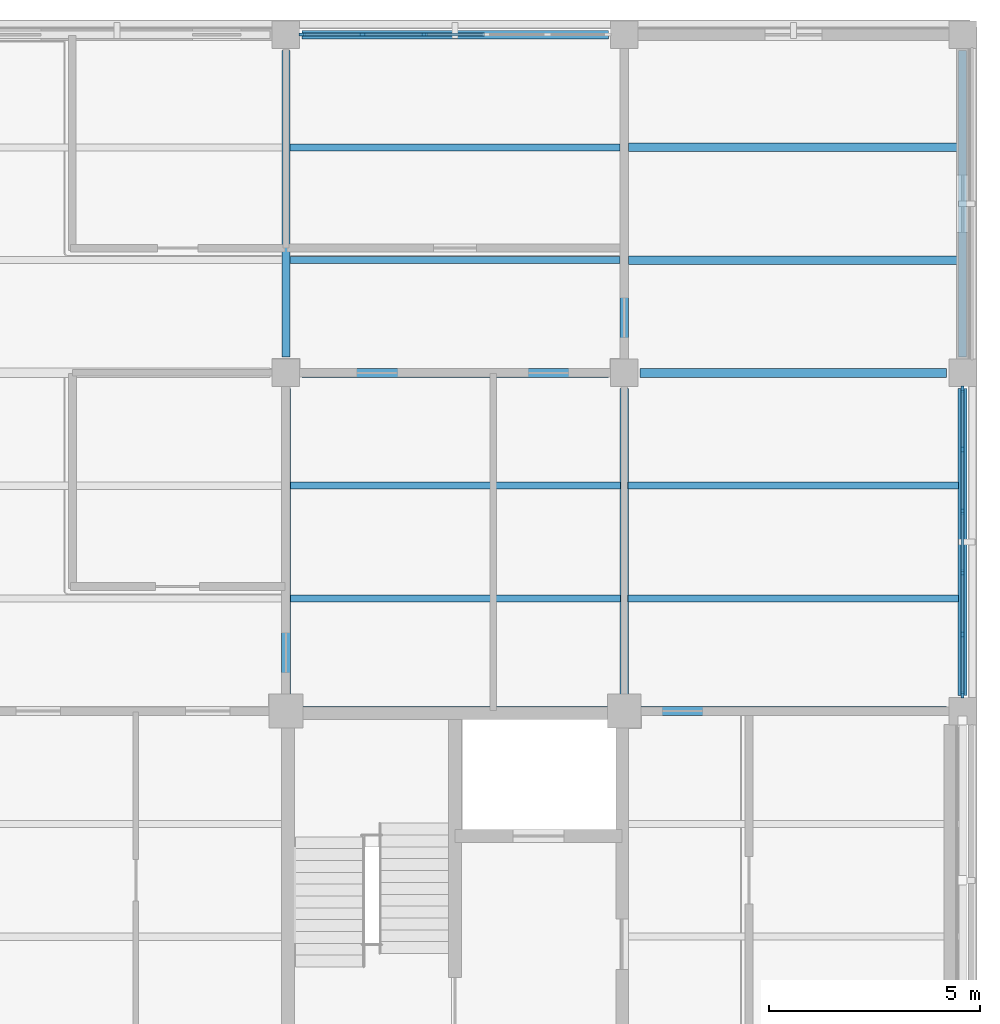
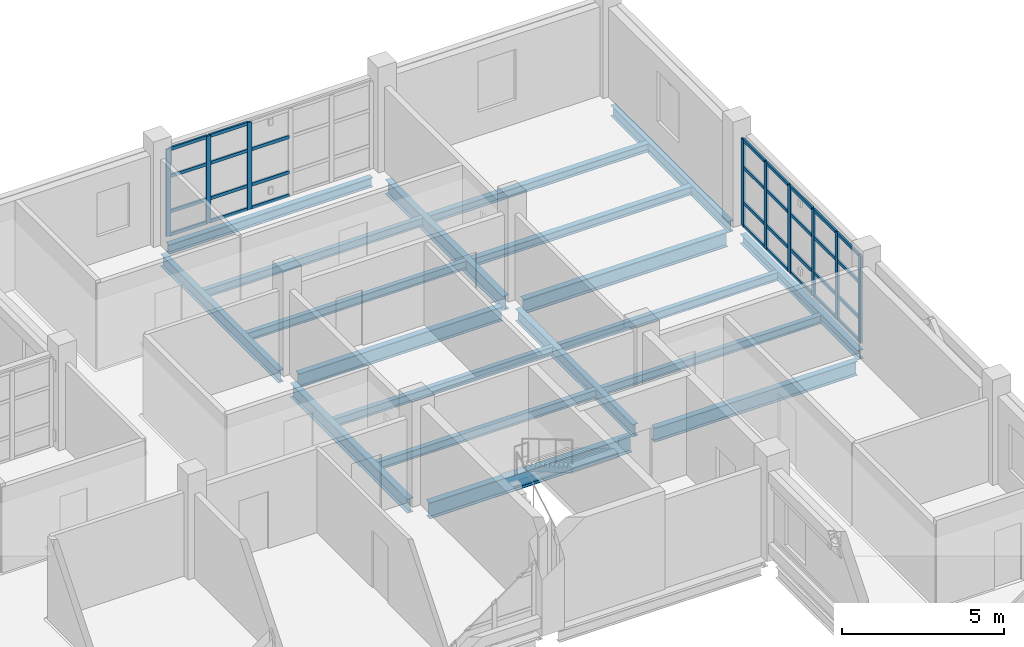
# One storey, part 63 of 126: 40 members, 19 beams, 2 elements without a shape of their own.
"""IFC4 building model written with IfcOpenShell, lengths in metres."""

from ifc_helpers import new_model, si_unit, derived_unit, direction, frame, origin, origin_2d, place, context, subcontext, project, spatial, rectangle, i_section, extrude, material, layer, layer_set, material_profile, profile_set, type_object, element, aggregate, save


model = new_model("IFC4")

# Units and contexts
model_context = context("Model", 3, precision=1e-05, world=origin(), true_north=direction((0.0, 1.0)))
body_context = subcontext(model_context, "Body", "Model", "MODEL_VIEW")
ifc_project = project(units=[si_unit("LENGTHUNIT", "METRE"), si_unit("AREAUNIT", "SQUARE_METRE"), si_unit("VOLUMEUNIT", "CUBIC_METRE"), si_unit("PLANEANGLEUNIT", "RADIAN"), si_unit("MASSUNIT", "GRAM", prefix="KILO"), derived_unit("THERMALTRANSMITTANCEUNIT", [(si_unit("MASSUNIT", "GRAM", prefix="KILO"), 1), (si_unit("TIMEUNIT", "SECOND"), -3), (si_unit("THERMODYNAMICTEMPERATUREUNIT", "KELVIN"), -1)])], contexts=[model_context])

# Site, building, storey
site_placement = place(None, origin())
site = spatial("IfcSite", under=ifc_project, at=site_placement, CompositionType="ELEMENT")
building_placement = place(site_placement, origin())
building = spatial("IfcBuilding", under=site, at=building_placement, Name="Veyamyaing Civic Hall", CompositionType="ELEMENT")
storey_placement = place(building_placement, frame((0.0, 0.0, 9.89990234375)))
storey = spatial("IfcBuildingStorey", under=building, at=storey_placement, Name="L02", CompositionType="ELEMENT", Elevation=9.89990234375)

# Beams
ifc_material_1 = material(Name="Steel ASTM A992", Category="steel")
ifc_material_profile_1 = material_profile(ifc_material_1, i_section(OverallWidth=0.22802734375, OverallDepth=0.60791015625, WebThickness=0.01123046875, FlangeThickness=0.017333984375, FilletRadius=0.012939453125, at=origin_2d()), Name="W610X113")
ifc_profile_set_1 = profile_set([ifc_material_profile_1], Name="Steel ASTM A992")
beam_type_1 = type_object("IfcBeamType", Name="B-06", PredefinedType="BEAM", material=ifc_profile_set_1)
beam_1_placement = place(storey_placement, frame((160.39990234375, 96.0, -0.5888671875), z_axis=(1.0, 0.0, 0.0), x_axis=(0.0, 1.0, 0.0)))
element("IfcBeam", 1, at=beam_1_placement, inside=storey, type_object=beam_type_1, Name="Girder B-06 L02 Grid N 21-22", PredefinedType="BEAM", context=body_context, shape_type="SweptSolid", body=[
    extrude(i_section(OverallWidth=0.22802734375, OverallDepth=0.60791015625, WebThickness=0.01123046875, FlangeThickness=0.017333984375, FilletRadius=0.012939453125, at=origin_2d()), origin(), (0.0, 0.0, 1.0), 7.2001953125),
])
ifc_material_profile_2 = material_profile(ifc_material_1, i_section(OverallWidth=0.208984375, OverallDepth=0.532958984375, WebThickness=0.01025390625, FlangeThickness=0.015625, FilletRadius=0.011962890625, at=origin_2d()), Name="W530X92")
ifc_profile_set_2 = profile_set([ifc_material_profile_2], Name="Steel ASTM A992")
beam_type_2 = type_object("IfcBeamType", Name="B-07", PredefinedType="BEAM", material=ifc_profile_set_2)
beam_2_placement = place(storey_placement, frame((168.39990234375, 96.0, -0.551513671875), z_axis=(1.0, 0.0, 0.0), x_axis=(0.0, 1.0, 0.0)))
element("IfcBeam", 2, at=beam_2_placement, inside=storey, type_object=beam_type_2, Name="Girder B-07 L02 Grid N 22-23", PredefinedType="BEAM", context=body_context, shape_type="SweptSolid", body=[
    extrude(i_section(OverallWidth=0.208984375, OverallDepth=0.532958984375, WebThickness=0.01025390625, FlangeThickness=0.015625, FilletRadius=0.011962890625, at=origin_2d()), origin(), (0.0, 0.0, 1.0), 7.22509765625),
])
beam_3_placement = place(storey_placement, frame((160.375, 104.0, -0.551513671875), z_axis=(1.0, 0.0, 0.0), x_axis=(0.0, 1.0, 0.0)))
element("IfcBeam", 3, at=beam_3_placement, inside=storey, type_object=beam_type_2, Name="Girder B-07 L02 Grid P 21-22", PredefinedType="BEAM", context=body_context, shape_type="SweptSolid", body=[
    extrude(i_section(OverallWidth=0.208984375, OverallDepth=0.532958984375, WebThickness=0.01025390625, FlangeThickness=0.015625, FilletRadius=0.011962890625, at=origin_2d()), origin(), (0.0, 0.0, 1.0), 7.25),
])
beam_4_placement = place(storey_placement, frame((160.0, 96.39990234375, -0.551513671875), z_axis=(0.0, 1.0, 0.0), x_axis=(-1.0, 0.0, 0.0)))
element("IfcBeam", 4, at=beam_4_placement, inside=storey, type_object=beam_type_2, Name="Girder B-07 L02 Grid 21 N-P", PredefinedType="BEAM", context=body_context, shape_type="SweptSolid", body=[
    extrude(i_section(OverallWidth=0.208984375, OverallDepth=0.532958984375, WebThickness=0.01025390625, FlangeThickness=0.015625, FilletRadius=0.011962890625, at=origin_2d()), origin(), (0.0, 0.0, 1.0), 7.22509765625),
])
ifc_material_profile_3 = material_profile(ifc_material_1, i_section(OverallWidth=0.19189453125, OverallDepth=0.462890625, WebThickness=0.010498046875, FlangeThickness=0.017578125, FilletRadius=0.010009765625, at=origin_2d()), Name="W460X89")
ifc_profile_set_3 = profile_set([ifc_material_profile_3], Name="Steel ASTM A992")
beam_type_3 = type_object("IfcBeamType", Name="B-08", PredefinedType="BEAM", material=ifc_profile_set_3)
beam_5_placement = place(storey_placement, frame((160.0, 104.375, -0.516357421875), z_axis=(0.0, 1.0, 0.0), x_axis=(-1.0, 0.0, 0.0)))
element("IfcBeam", 5, at=beam_5_placement, inside=storey, type_object=beam_type_3, Name="Girder B-08 L02 Grid 21 P-Q", PredefinedType="BEAM", context=body_context, shape_type="SweptSolid", body=[
    extrude(i_section(OverallWidth=0.19189453125, OverallDepth=0.462890625, WebThickness=0.010498046875, FlangeThickness=0.017578125, FilletRadius=0.010009765625, at=origin_2d()), origin(), (0.0, 0.0, 1.0), 7.25),
])
beam_6_placement = place(storey_placement, frame((168.0, 96.39990234375, -0.516357421875), z_axis=(0.0, 1.0, 0.0), x_axis=(-1.0, 0.0, 0.0)))
element("IfcBeam", 6, at=beam_6_placement, inside=storey, type_object=beam_type_3, Name="Girder B-08 L02 Grid 22 N-P", PredefinedType="BEAM", context=body_context, shape_type="SweptSolid", body=[
    extrude(i_section(OverallWidth=0.19189453125, OverallDepth=0.462890625, WebThickness=0.010498046875, FlangeThickness=0.017578125, FilletRadius=0.010009765625, at=origin_2d()), origin(), (0.0, 0.0, 1.0), 7.22509765625),
])
ifc_material_profile_4 = material_profile(ifc_material_1, i_section(OverallWidth=0.2041015625, OverallDepth=0.35009765625, WebThickness=0.0078125, FlangeThickness=0.01513671875, FilletRadius=0.010009765625, at=origin_2d()), Name="W360X72")
ifc_profile_set_4 = profile_set([ifc_material_profile_4], Name="Steel ASTM A992")
beam_type_4 = type_object("IfcBeamType", Name="B-11", PredefinedType="SPANDREL", material=ifc_profile_set_4)
for number, where, z_axis, x_axis, name in (
    (7, (160.375, 112.0, -0.4599609375), (1.0, 0.0, 0.0), (0.0, 1.0, 0.0), "Girder B-11 L02 Grid Q 21-22"),
    (8, (176.0, 96.375, -0.4599609375), (0.0, 1.0, 0.0), (-1.0, 0.0, 0.0), "Girder B-11 L02 Grid 23 N-P"),
):
    element("IfcBeam", number, at=place(storey_placement, frame(where, z_axis=z_axis, x_axis=x_axis)), inside=storey, type_object=beam_type_4, Name=name, PredefinedType="SPANDREL", context=body_context, shape_type="SweptSolid", body=[
        extrude(i_section(OverallWidth=0.2041015625, OverallDepth=0.35009765625, WebThickness=0.0078125, FlangeThickness=0.01513671875, FilletRadius=0.010009765625, at=origin_2d()), origin(), (0.0, 0.0, 1.0), 7.25),
    ])
ifc_material_profile_5 = material_profile(ifc_material_1, i_section(OverallWidth=0.214111328125, OverallDepth=0.549072265625, WebThickness=0.0146484375, FlangeThickness=0.023681640625, FilletRadius=0.011962890625, at=origin_2d()), Name="W530X138")
ifc_profile_set_5 = profile_set([ifc_material_profile_5], Name="Steel ASTM A992")
beam_type_5 = type_object("IfcBeamType", Name="B-16", PredefinedType="BEAM", material=ifc_profile_set_5)
beam_7_placement = place(storey_placement, frame((168.375, 104.0, -0.559326171875), z_axis=(1.0, 0.0, 0.0), x_axis=(0.0, 1.0, 0.0)))
element("IfcBeam", 9, at=beam_7_placement, inside=storey, type_object=beam_type_5, Name="Girder B-16 L02 Grid P 22-23", PredefinedType="BEAM", context=body_context, shape_type="SweptSolid", body=[
    extrude(i_section(OverallWidth=0.214111328125, OverallDepth=0.549072265625, WebThickness=0.0146484375, FlangeThickness=0.023681640625, FilletRadius=0.011962890625, at=origin_2d()), origin(), (0.0, 0.0, 1.0), 7.25),
])
ifc_material_profile_6 = material_profile(ifc_material_1, i_section(OverallWidth=0.2109375, OverallDepth=0.5390625, WebThickness=0.01171875, FlangeThickness=0.018798828125, FilletRadius=0.011962890625, at=origin_2d()), Name="W530X109")
ifc_profile_set_6 = profile_set([ifc_material_profile_6], Name="Steel ASTM A992")
beam_type_6 = type_object("IfcBeamType", Name="B-17", PredefinedType="BEAM", material=ifc_profile_set_6)
beam_8_placement = place(storey_placement, frame((168.0, 104.375, -0.554443359375), z_axis=(0.0, 1.0, 0.0), x_axis=(-1.0, 0.0, 0.0)))
element("IfcBeam", 10, at=beam_8_placement, inside=storey, type_object=beam_type_6, Name="Girder B-17 L02 Grid 22 P-Q", PredefinedType="BEAM", context=body_context, shape_type="SweptSolid", body=[
    extrude(i_section(OverallWidth=0.2109375, OverallDepth=0.5390625, WebThickness=0.01171875, FlangeThickness=0.018798828125, FilletRadius=0.011962890625, at=origin_2d()), origin(), (0.0, 0.0, 1.0), 7.25),
])
ifc_material_profile_7 = material_profile(ifc_material_1, i_section(OverallWidth=0.180908203125, OverallDepth=0.4169921875, WebThickness=0.010986328125, FlangeThickness=0.018310546875, FilletRadius=0.010009765625, at=origin_2d()), Name="W410X85")
ifc_profile_set_7 = profile_set([ifc_material_profile_7], Name="Steel ASTM A992")
beam_type_7 = type_object("IfcBeamType", Name="B-19", PredefinedType="SPANDREL", material=ifc_profile_set_7)
beam_9_placement = place(storey_placement, frame((176.0, 104.375, -0.493408203125), z_axis=(0.0, 1.0, 0.0), x_axis=(-1.0, 0.0, 0.0)))
element("IfcBeam", 11, at=beam_9_placement, inside=storey, type_object=beam_type_7, Name="Girder B-19 L02 Grid 23 P-Q", PredefinedType="SPANDREL", context=body_context, shape_type="SweptSolid", body=[
    extrude(i_section(OverallWidth=0.180908203125, OverallDepth=0.4169921875, WebThickness=0.010986328125, FlangeThickness=0.018310546875, FilletRadius=0.010009765625, at=origin_2d()), origin(), (0.0, 0.0, 1.0), 7.25),
])

# Curtain wall, members
ifc_material_2 = material(Name="Anodised aluminium 6063-T6", Category="aluminium")
ifc_layer = layer(ifc_material_2, 0.159912109375, Name="Anodised aluminium 6063-T6")
ifc_layer_set = layer_set([ifc_layer], Name="Anodised aluminium 6063-T6")
curtain_wall_type = type_object("IfcCurtainWallType", Name="CW-03", PredefinedType="NOTDEFINED", material=ifc_layer_set)
curtain_wall_1_placement = place(storey_placement, origin())
curtain_wall_1 = element("IfcCurtainWall", 12, at=curtain_wall_1_placement, inside=storey, type_object=curtain_wall_type, Name="Unitized curtain wall CW-03 L02 N 21.14", PredefinedType="NOTDEFINED")
ifc_material_profile_8 = material_profile(ifc_material_2, rectangle(XDim=0.06494140625, YDim=0.159912109375, at=origin_2d()), Name="ALU-MUL-65X160")
ifc_profile_set_8 = profile_set([ifc_material_profile_8], Name="Anodised aluminium 6063-T6")
member_type_1 = type_object("IfcMemberType", Name="CWM-01", PredefinedType="MULLION", material=ifc_profile_set_8)
member_1_placement = place(storey_placement, frame((160.387451171875, 112.0, 0.0), z_axis=(0.0, 0.0, 1.0), x_axis=(0.0, 1.0, 0.0)))
member_1 = element("IfcMember", 13, at=member_1_placement, type_object=member_type_1, Name="CW-03 mullion 1", PredefinedType="MULLION", context=body_context, shape_type="SweptSolid", body=[
    extrude(rectangle(XDim=0.06494140625, YDim=0.159912109375, at=origin_2d()), origin(), (0.0, 0.0, 1.0), 3.280029296875),
])
member_2_placement = place(storey_placement, frame((161.81298828125, 112.0, 0.0), z_axis=(0.0, 0.0, 1.0), x_axis=(0.0, 1.0, 0.0)))
member_2 = element("IfcMember", 14, at=member_2_placement, type_object=member_type_1, Name="CW-03 mullion 2", PredefinedType="MULLION", context=body_context, shape_type="SweptSolid", body=[
    extrude(rectangle(XDim=0.06494140625, YDim=0.159912109375, at=origin_2d()), origin(), (0.0, 0.0, 1.0), 3.280029296875),
])
member_3_placement = place(storey_placement, frame((163.27099609375, 112.0, 0.0), z_axis=(0.0, 0.0, 1.0), x_axis=(0.0, 1.0, 0.0)))
member_3 = element("IfcMember", 15, at=member_3_placement, type_object=member_type_1, Name="CW-03 mullion 3", PredefinedType="MULLION", context=body_context, shape_type="SweptSolid", body=[
    extrude(rectangle(XDim=0.06494140625, YDim=0.159912109375, at=origin_2d()), origin(), (0.0, 0.0, 1.0), 3.280029296875),
])

curtain_wall_2_placement = place(storey_placement, origin())
curtain_wall_2 = element("IfcCurtainWall", 16, at=curtain_wall_2_placement, inside=storey, type_object=curtain_wall_type, Name="Unitized curtain wall CW-03 L02 E 22.13", PredefinedType="NOTDEFINED")
member_4_placement = place(storey_placement, frame((176.0, 96.387451171875, 0.0), z_axis=(0.0, 0.0, 1.0), x_axis=(-1.0, 0.0, 0.0)))
member_4 = element("IfcMember", 17, at=member_4_placement, type_object=member_type_1, Name="CW-03 mullion 1", PredefinedType="MULLION", context=body_context, shape_type="SweptSolid", body=[
    extrude(rectangle(XDim=0.06494140625, YDim=0.159912109375, at=origin_2d()), origin(), (0.0, 0.0, 1.0), 3.280029296875),
])
member_5_placement = place(storey_placement, frame((176.0, 97.81298828125, 0.0), z_axis=(0.0, 0.0, 1.0), x_axis=(-1.0, 0.0, 0.0)))
member_5 = element("IfcMember", 18, at=member_5_placement, type_object=member_type_1, Name="CW-03 mullion 2", PredefinedType="MULLION", context=body_context, shape_type="SweptSolid", body=[
    extrude(rectangle(XDim=0.06494140625, YDim=0.159912109375, at=origin_2d()), origin(), (0.0, 0.0, 1.0), 3.280029296875),
])
member_6_placement = place(storey_placement, frame((176.0, 99.27099609375, 0.0), z_axis=(0.0, 0.0, 1.0), x_axis=(-1.0, 0.0, 0.0)))
member_6 = element("IfcMember", 19, at=member_6_placement, type_object=member_type_1, Name="CW-03 mullion 3", PredefinedType="MULLION", context=body_context, shape_type="SweptSolid", body=[
    extrude(rectangle(XDim=0.06494140625, YDim=0.159912109375, at=origin_2d()), origin(), (0.0, 0.0, 1.0), 3.280029296875),
])
member_7_placement = place(storey_placement, frame((176.0, 100.72900390625, 0.0), z_axis=(0.0, 0.0, 1.0), x_axis=(-1.0, 0.0, 0.0)))
member_7 = element("IfcMember", 20, at=member_7_placement, type_object=member_type_1, Name="CW-03 mullion 4", PredefinedType="MULLION", context=body_context, shape_type="SweptSolid", body=[
    extrude(rectangle(XDim=0.06494140625, YDim=0.159912109375, at=origin_2d()), origin(), (0.0, 0.0, 1.0), 3.280029296875),
])
member_8_placement = place(storey_placement, frame((176.0, 102.18701171875, 0.0), z_axis=(0.0, 0.0, 1.0), x_axis=(-1.0, 0.0, 0.0)))
member_8 = element("IfcMember", 21, at=member_8_placement, type_object=member_type_1, Name="CW-03 mullion 5", PredefinedType="MULLION", context=body_context, shape_type="SweptSolid", body=[
    extrude(rectangle(XDim=0.06494140625, YDim=0.159912109375, at=origin_2d()), origin(), (0.0, 0.0, 1.0), 3.280029296875),
])
member_9_placement = place(storey_placement, frame((176.0, 103.612548828125, 0.0), z_axis=(0.0, 0.0, 1.0), x_axis=(-1.0, 0.0, 0.0)))
member_9 = element("IfcMember", 22, at=member_9_placement, type_object=member_type_1, Name="CW-03 mullion 6", PredefinedType="MULLION", context=body_context, shape_type="SweptSolid", body=[
    extrude(rectangle(XDim=0.06494140625, YDim=0.159912109375, at=origin_2d()), origin(), (0.0, 0.0, 1.0), 3.280029296875),
])

# Member
ifc_material_profile_9 = material_profile(ifc_material_2, rectangle(XDim=0.06494140625, YDim=0.1201171875, at=origin_2d()), Name="ALU-TRN-65X120")
ifc_profile_set_9 = profile_set([ifc_material_profile_9], Name="Anodised aluminium 6063-T6")
member_type_2 = type_object("IfcMemberType", Name="CWT-01", PredefinedType="USERDEFINED", material=ifc_profile_set_9)
member_10_placement = place(storey_placement, frame((160.419921875, 112.0, 0.03271484375), z_axis=(1.0, 0.0, 0.0), x_axis=(0.0, 1.0, 0.0)))
member_10 = element("IfcMember", 23, at=member_10_placement, type_object=member_type_2, Name="CW-03 transom 1.1", ObjectType="TRANSOM", PredefinedType="USERDEFINED", context=body_context, shape_type="SweptSolid", body=[
    extrude(rectangle(XDim=0.06494140625, YDim=0.1201171875, at=origin_2d()), origin(), (0.0, 0.0, 1.0), 1.360595703125),
])

member_11_placement = place(storey_placement, frame((160.419921875, 112.0, 0.900146484375), z_axis=(1.0, 0.0, 0.0), x_axis=(0.0, 1.0, 0.0)))
member_11 = element("IfcMember", 24, at=member_11_placement, type_object=member_type_2, Name="CW-03 transom 1.2", ObjectType="TRANSOM", PredefinedType="USERDEFINED", context=body_context, shape_type="SweptSolid", body=[
    extrude(rectangle(XDim=0.06494140625, YDim=0.1201171875, at=origin_2d()), origin(), (0.0, 0.0, 1.0), 1.360595703125),
])

member_12_placement = place(storey_placement, frame((160.419921875, 112.0, 2.23046875), z_axis=(1.0, 0.0, 0.0), x_axis=(0.0, 1.0, 0.0)))
member_12 = element("IfcMember", 25, at=member_12_placement, type_object=member_type_2, Name="CW-03 transom 1.3", ObjectType="TRANSOM", PredefinedType="USERDEFINED", context=body_context, shape_type="SweptSolid", body=[
    extrude(rectangle(XDim=0.06494140625, YDim=0.1201171875, at=origin_2d()), origin(), (0.0, 0.0, 1.0), 1.360595703125),
])

member_13_placement = place(storey_placement, frame((160.419921875, 112.0, 3.24755859375), z_axis=(1.0, 0.0, 0.0), x_axis=(0.0, 1.0, 0.0)))
member_13 = element("IfcMember", 26, at=member_13_placement, type_object=member_type_2, Name="CW-03 transom 1.4", ObjectType="TRANSOM", PredefinedType="USERDEFINED", context=body_context, shape_type="SweptSolid", body=[
    extrude(rectangle(XDim=0.06494140625, YDim=0.1201171875, at=origin_2d()), origin(), (0.0, 0.0, 1.0), 1.360595703125),
])

member_14_placement = place(storey_placement, frame((161.845458984375, 112.0, 0.03271484375), z_axis=(1.0, 0.0, 0.0), x_axis=(0.0, 1.0, 0.0)))
member_14 = element("IfcMember", 27, at=member_14_placement, type_object=member_type_2, Name="CW-03 transom 2.1", ObjectType="TRANSOM", PredefinedType="USERDEFINED", context=body_context, shape_type="SweptSolid", body=[
    extrude(rectangle(XDim=0.06494140625, YDim=0.1201171875, at=origin_2d()), origin(), (0.0, 0.0, 1.0), 1.39306640625),
])

member_15_placement = place(storey_placement, frame((161.845458984375, 112.0, 0.900146484375), z_axis=(1.0, 0.0, 0.0), x_axis=(0.0, 1.0, 0.0)))
member_15 = element("IfcMember", 28, at=member_15_placement, type_object=member_type_2, Name="CW-03 transom 2.2", ObjectType="TRANSOM", PredefinedType="USERDEFINED", context=body_context, shape_type="SweptSolid", body=[
    extrude(rectangle(XDim=0.06494140625, YDim=0.1201171875, at=origin_2d()), origin(), (0.0, 0.0, 1.0), 1.39306640625),
])

member_16_placement = place(storey_placement, frame((161.845458984375, 112.0, 2.23046875), z_axis=(1.0, 0.0, 0.0), x_axis=(0.0, 1.0, 0.0)))
member_16 = element("IfcMember", 29, at=member_16_placement, type_object=member_type_2, Name="CW-03 transom 2.3", ObjectType="TRANSOM", PredefinedType="USERDEFINED", context=body_context, shape_type="SweptSolid", body=[
    extrude(rectangle(XDim=0.06494140625, YDim=0.1201171875, at=origin_2d()), origin(), (0.0, 0.0, 1.0), 1.39306640625),
])

member_17_placement = place(storey_placement, frame((161.845458984375, 112.0, 3.24755859375), z_axis=(1.0, 0.0, 0.0), x_axis=(0.0, 1.0, 0.0)))
member_17 = element("IfcMember", 30, at=member_17_placement, type_object=member_type_2, Name="CW-03 transom 2.4", ObjectType="TRANSOM", PredefinedType="USERDEFINED", context=body_context, shape_type="SweptSolid", body=[
    extrude(rectangle(XDim=0.06494140625, YDim=0.1201171875, at=origin_2d()), origin(), (0.0, 0.0, 1.0), 1.39306640625),
])

member_18_placement = place(storey_placement, frame((163.303466796875, 112.0, 0.03271484375), z_axis=(1.0, 0.0, 0.0), x_axis=(0.0, 1.0, 0.0)))
member_18 = element("IfcMember", 31, at=member_18_placement, type_object=member_type_2, Name="CW-03 transom 3.1", ObjectType="TRANSOM", PredefinedType="USERDEFINED", context=body_context, shape_type="SweptSolid", body=[
    extrude(rectangle(XDim=0.06494140625, YDim=0.1201171875, at=origin_2d()), origin(), (0.0, 0.0, 1.0), 1.39306640625),
])

member_19_placement = place(storey_placement, frame((163.303466796875, 112.0, 0.900146484375), z_axis=(1.0, 0.0, 0.0), x_axis=(0.0, 1.0, 0.0)))
member_19 = element("IfcMember", 32, at=member_19_placement, type_object=member_type_2, Name="CW-03 transom 3.2", ObjectType="TRANSOM", PredefinedType="USERDEFINED", context=body_context, shape_type="SweptSolid", body=[
    extrude(rectangle(XDim=0.06494140625, YDim=0.1201171875, at=origin_2d()), origin(), (0.0, 0.0, 1.0), 1.39306640625),
])

member_20_placement = place(storey_placement, frame((163.303466796875, 112.0, 2.23046875), z_axis=(1.0, 0.0, 0.0), x_axis=(0.0, 1.0, 0.0)))
member_20 = element("IfcMember", 33, at=member_20_placement, type_object=member_type_2, Name="CW-03 transom 3.3", ObjectType="TRANSOM", PredefinedType="USERDEFINED", context=body_context, shape_type="SweptSolid", body=[
    extrude(rectangle(XDim=0.06494140625, YDim=0.1201171875, at=origin_2d()), origin(), (0.0, 0.0, 1.0), 1.39306640625),
])

aggregate(curtain_wall_1, [member_1, member_2, member_3, member_10, member_11, member_12, member_13, member_14, member_15, member_16, member_17, member_18, member_19, member_20])

member_21_placement = place(storey_placement, frame((176.0, 96.419921875, 0.03271484375), z_axis=(0.0, 1.0, 0.0), x_axis=(-1.0, 0.0, 0.0)))
member_21 = element("IfcMember", 34, at=member_21_placement, type_object=member_type_2, Name="CW-03 transom 1.1", ObjectType="TRANSOM", PredefinedType="USERDEFINED", context=body_context, shape_type="SweptSolid", body=[
    extrude(rectangle(XDim=0.06494140625, YDim=0.1201171875, at=origin_2d()), origin(), (0.0, 0.0, 1.0), 1.360595703125),
])

member_22_placement = place(storey_placement, frame((176.0, 96.419921875, 0.900146484375), z_axis=(0.0, 1.0, 0.0), x_axis=(-1.0, 0.0, 0.0)))
member_22 = element("IfcMember", 35, at=member_22_placement, type_object=member_type_2, Name="CW-03 transom 1.2", ObjectType="TRANSOM", PredefinedType="USERDEFINED", context=body_context, shape_type="SweptSolid", body=[
    extrude(rectangle(XDim=0.06494140625, YDim=0.1201171875, at=origin_2d()), origin(), (0.0, 0.0, 1.0), 1.360595703125),
])

member_23_placement = place(storey_placement, frame((176.0, 96.419921875, 2.23046875), z_axis=(0.0, 1.0, 0.0), x_axis=(-1.0, 0.0, 0.0)))
member_23 = element("IfcMember", 36, at=member_23_placement, type_object=member_type_2, Name="CW-03 transom 1.3", ObjectType="TRANSOM", PredefinedType="USERDEFINED", context=body_context, shape_type="SweptSolid", body=[
    extrude(rectangle(XDim=0.06494140625, YDim=0.1201171875, at=origin_2d()), origin(), (0.0, 0.0, 1.0), 1.360595703125),
])

member_24_placement = place(storey_placement, frame((176.0, 96.419921875, 3.24755859375), z_axis=(0.0, 1.0, 0.0), x_axis=(-1.0, 0.0, 0.0)))
member_24 = element("IfcMember", 37, at=member_24_placement, type_object=member_type_2, Name="CW-03 transom 1.4", ObjectType="TRANSOM", PredefinedType="USERDEFINED", context=body_context, shape_type="SweptSolid", body=[
    extrude(rectangle(XDim=0.06494140625, YDim=0.1201171875, at=origin_2d()), origin(), (0.0, 0.0, 1.0), 1.360595703125),
])

member_25_placement = place(storey_placement, frame((176.0, 97.845458984375, 0.03271484375), z_axis=(0.0, 1.0, 0.0), x_axis=(-1.0, 0.0, 0.0)))
member_25 = element("IfcMember", 38, at=member_25_placement, type_object=member_type_2, Name="CW-03 transom 2.1", ObjectType="TRANSOM", PredefinedType="USERDEFINED", context=body_context, shape_type="SweptSolid", body=[
    extrude(rectangle(XDim=0.06494140625, YDim=0.1201171875, at=origin_2d()), origin(), (0.0, 0.0, 1.0), 1.39306640625),
])

member_26_placement = place(storey_placement, frame((176.0, 97.845458984375, 0.900146484375), z_axis=(0.0, 1.0, 0.0), x_axis=(-1.0, 0.0, 0.0)))
member_26 = element("IfcMember", 39, at=member_26_placement, type_object=member_type_2, Name="CW-03 transom 2.2", ObjectType="TRANSOM", PredefinedType="USERDEFINED", context=body_context, shape_type="SweptSolid", body=[
    extrude(rectangle(XDim=0.06494140625, YDim=0.1201171875, at=origin_2d()), origin(), (0.0, 0.0, 1.0), 1.39306640625),
])

member_27_placement = place(storey_placement, frame((176.0, 97.845458984375, 2.23046875), z_axis=(0.0, 1.0, 0.0), x_axis=(-1.0, 0.0, 0.0)))
member_27 = element("IfcMember", 40, at=member_27_placement, type_object=member_type_2, Name="CW-03 transom 2.3", ObjectType="TRANSOM", PredefinedType="USERDEFINED", context=body_context, shape_type="SweptSolid", body=[
    extrude(rectangle(XDim=0.06494140625, YDim=0.1201171875, at=origin_2d()), origin(), (0.0, 0.0, 1.0), 1.39306640625),
])

member_28_placement = place(storey_placement, frame((176.0, 97.845458984375, 3.24755859375), z_axis=(0.0, 1.0, 0.0), x_axis=(-1.0, 0.0, 0.0)))
member_28 = element("IfcMember", 41, at=member_28_placement, type_object=member_type_2, Name="CW-03 transom 2.4", ObjectType="TRANSOM", PredefinedType="USERDEFINED", context=body_context, shape_type="SweptSolid", body=[
    extrude(rectangle(XDim=0.06494140625, YDim=0.1201171875, at=origin_2d()), origin(), (0.0, 0.0, 1.0), 1.39306640625),
])

member_29_placement = place(storey_placement, frame((176.0, 99.303466796875, 0.03271484375), z_axis=(0.0, 1.0, 0.0), x_axis=(-1.0, 0.0, 0.0)))
member_29 = element("IfcMember", 42, at=member_29_placement, type_object=member_type_2, Name="CW-03 transom 3.1", ObjectType="TRANSOM", PredefinedType="USERDEFINED", context=body_context, shape_type="SweptSolid", body=[
    extrude(rectangle(XDim=0.06494140625, YDim=0.1201171875, at=origin_2d()), origin(), (0.0, 0.0, 1.0), 1.39306640625),
])

member_30_placement = place(storey_placement, frame((176.0, 99.303466796875, 0.900146484375), z_axis=(0.0, 1.0, 0.0), x_axis=(-1.0, 0.0, 0.0)))
member_30 = element("IfcMember", 43, at=member_30_placement, type_object=member_type_2, Name="CW-03 transom 3.2", ObjectType="TRANSOM", PredefinedType="USERDEFINED", context=body_context, shape_type="SweptSolid", body=[
    extrude(rectangle(XDim=0.06494140625, YDim=0.1201171875, at=origin_2d()), origin(), (0.0, 0.0, 1.0), 1.39306640625),
])

member_31_placement = place(storey_placement, frame((176.0, 99.303466796875, 2.23046875), z_axis=(0.0, 1.0, 0.0), x_axis=(-1.0, 0.0, 0.0)))
member_31 = element("IfcMember", 44, at=member_31_placement, type_object=member_type_2, Name="CW-03 transom 3.3", ObjectType="TRANSOM", PredefinedType="USERDEFINED", context=body_context, shape_type="SweptSolid", body=[
    extrude(rectangle(XDim=0.06494140625, YDim=0.1201171875, at=origin_2d()), origin(), (0.0, 0.0, 1.0), 1.39306640625),
])

member_32_placement = place(storey_placement, frame((176.0, 99.303466796875, 3.24755859375), z_axis=(0.0, 1.0, 0.0), x_axis=(-1.0, 0.0, 0.0)))
member_32 = element("IfcMember", 45, at=member_32_placement, type_object=member_type_2, Name="CW-03 transom 3.4", ObjectType="TRANSOM", PredefinedType="USERDEFINED", context=body_context, shape_type="SweptSolid", body=[
    extrude(rectangle(XDim=0.06494140625, YDim=0.1201171875, at=origin_2d()), origin(), (0.0, 0.0, 1.0), 1.39306640625),
])

member_33_placement = place(storey_placement, frame((176.0, 100.761474609375, 0.03271484375), z_axis=(0.0, 1.0, 0.0), x_axis=(-1.0, 0.0, 0.0)))
member_33 = element("IfcMember", 46, at=member_33_placement, type_object=member_type_2, Name="CW-03 transom 4.1", ObjectType="TRANSOM", PredefinedType="USERDEFINED", context=body_context, shape_type="SweptSolid", body=[
    extrude(rectangle(XDim=0.06494140625, YDim=0.1201171875, at=origin_2d()), origin(), (0.0, 0.0, 1.0), 1.39306640625),
])

member_34_placement = place(storey_placement, frame((176.0, 100.761474609375, 0.900146484375), z_axis=(0.0, 1.0, 0.0), x_axis=(-1.0, 0.0, 0.0)))
member_34 = element("IfcMember", 47, at=member_34_placement, type_object=member_type_2, Name="CW-03 transom 4.2", ObjectType="TRANSOM", PredefinedType="USERDEFINED", context=body_context, shape_type="SweptSolid", body=[
    extrude(rectangle(XDim=0.06494140625, YDim=0.1201171875, at=origin_2d()), origin(), (0.0, 0.0, 1.0), 1.39306640625),
])

member_35_placement = place(storey_placement, frame((176.0, 100.761474609375, 2.23046875), z_axis=(0.0, 1.0, 0.0), x_axis=(-1.0, 0.0, 0.0)))
member_35 = element("IfcMember", 48, at=member_35_placement, type_object=member_type_2, Name="CW-03 transom 4.3", ObjectType="TRANSOM", PredefinedType="USERDEFINED", context=body_context, shape_type="SweptSolid", body=[
    extrude(rectangle(XDim=0.06494140625, YDim=0.1201171875, at=origin_2d()), origin(), (0.0, 0.0, 1.0), 1.39306640625),
])

member_36_placement = place(storey_placement, frame((176.0, 100.761474609375, 3.24755859375), z_axis=(0.0, 1.0, 0.0), x_axis=(-1.0, 0.0, 0.0)))
member_36 = element("IfcMember", 49, at=member_36_placement, type_object=member_type_2, Name="CW-03 transom 4.4", ObjectType="TRANSOM", PredefinedType="USERDEFINED", context=body_context, shape_type="SweptSolid", body=[
    extrude(rectangle(XDim=0.06494140625, YDim=0.1201171875, at=origin_2d()), origin(), (0.0, 0.0, 1.0), 1.39306640625),
])

member_37_placement = place(storey_placement, frame((176.0, 102.219482421875, 0.03271484375), z_axis=(0.0, 1.0, 0.0), x_axis=(-1.0, 0.0, 0.0)))
member_37 = element("IfcMember", 50, at=member_37_placement, type_object=member_type_2, Name="CW-03 transom 5.1", ObjectType="TRANSOM", PredefinedType="USERDEFINED", context=body_context, shape_type="SweptSolid", body=[
    extrude(rectangle(XDim=0.06494140625, YDim=0.1201171875, at=origin_2d()), origin(), (0.0, 0.0, 1.0), 1.360595703125),
])

member_38_placement = place(storey_placement, frame((176.0, 102.219482421875, 0.900146484375), z_axis=(0.0, 1.0, 0.0), x_axis=(-1.0, 0.0, 0.0)))
member_38 = element("IfcMember", 51, at=member_38_placement, type_object=member_type_2, Name="CW-03 transom 5.2", ObjectType="TRANSOM", PredefinedType="USERDEFINED", context=body_context, shape_type="SweptSolid", body=[
    extrude(rectangle(XDim=0.06494140625, YDim=0.1201171875, at=origin_2d()), origin(), (0.0, 0.0, 1.0), 1.360595703125),
])

member_39_placement = place(storey_placement, frame((176.0, 102.219482421875, 2.23046875), z_axis=(0.0, 1.0, 0.0), x_axis=(-1.0, 0.0, 0.0)))
member_39 = element("IfcMember", 52, at=member_39_placement, type_object=member_type_2, Name="CW-03 transom 5.3", ObjectType="TRANSOM", PredefinedType="USERDEFINED", context=body_context, shape_type="SweptSolid", body=[
    extrude(rectangle(XDim=0.06494140625, YDim=0.1201171875, at=origin_2d()), origin(), (0.0, 0.0, 1.0), 1.360595703125),
])

member_40_placement = place(storey_placement, frame((176.0, 102.219482421875, 3.24755859375), z_axis=(0.0, 1.0, 0.0), x_axis=(-1.0, 0.0, 0.0)))
member_40 = element("IfcMember", 53, at=member_40_placement, type_object=member_type_2, Name="CW-03 transom 5.4", ObjectType="TRANSOM", PredefinedType="USERDEFINED", context=body_context, shape_type="SweptSolid", body=[
    extrude(rectangle(XDim=0.06494140625, YDim=0.1201171875, at=origin_2d()), origin(), (0.0, 0.0, 1.0), 1.360595703125),
])

aggregate(curtain_wall_2, [member_4, member_5, member_6, member_7, member_8, member_9, member_21, member_22, member_23, member_24, member_25, member_26, member_27, member_28, member_29, member_30, member_31, member_32, member_33, member_34, member_35, member_36, member_37, member_38, member_39, member_40])

# Beams
ifc_material_profile_10 = material_profile(ifc_material_1, i_section(OverallWidth=0.1669921875, OverallDepth=0.318115234375, WebThickness=0.007568359375, FlangeThickness=0.01318359375, FilletRadius=0.010009765625, at=origin_2d()), Name="W310X52")
ifc_profile_set_10 = profile_set([ifc_material_profile_10], Name="Steel ASTM A992")
beam_type_8 = type_object("IfcBeamType", Name="J-04", PredefinedType="JOIST", material=ifc_profile_set_10)
for number, where, z_axis, x_axis, name in (
    (54, (160.1025390625, 98.666748046875, -0.44384765625), (1.0, 0.0, 0.0), (0.0, 1.0, 0.0), "Composite floor joist J-04 L02 21.13.1"),
    (55, (160.1025390625, 101.333251953125, -0.44384765625), (1.0, 0.0, 0.0), (0.0, 1.0, 0.0), "Composite floor joist J-04 L02 21.13.2"),
):
    element("IfcBeam", number, at=place(storey_placement, frame(where, z_axis=z_axis, x_axis=x_axis)), inside=storey, type_object=beam_type_8, Name=name, PredefinedType="JOIST", context=body_context, shape_type="SweptSolid", body=[
        extrude(i_section(OverallWidth=0.1669921875, OverallDepth=0.318115234375, WebThickness=0.007568359375, FlangeThickness=0.01318359375, FilletRadius=0.010009765625, at=origin_2d()), origin(), (0.0, 0.0, 1.0), 7.803466796875),
    ])
ifc_material_profile_11 = material_profile(ifc_material_1, i_section(OverallWidth=0.1650390625, OverallDepth=0.31005859375, WebThickness=0.005859375, FlangeThickness=0.009765625, FilletRadius=0.010009765625, at=origin_2d()), Name="W310X39")
ifc_profile_set_11 = profile_set([ifc_material_profile_11], Name="Steel ASTM A992")
beam_type_9 = type_object("IfcBeamType", Name="J-05", PredefinedType="JOIST", material=ifc_profile_set_11)
for number, where, z_axis, x_axis, name in (
    (56, (160.093994140625, 106.666748046875, -0.43994140625), (1.0, 0.0, 0.0), (0.0, 1.0, 0.0), "Composite floor joist J-05 L02 21.14.1"),
    (57, (160.093994140625, 109.333251953125, -0.43994140625), (1.0, 0.0, 0.0), (0.0, 1.0, 0.0), "Composite floor joist J-05 L02 21.14.2"),
):
    element("IfcBeam", number, at=place(storey_placement, frame(where, z_axis=z_axis, x_axis=x_axis)), inside=storey, type_object=beam_type_9, Name=name, PredefinedType="JOIST", context=body_context, shape_type="SweptSolid", body=[
        extrude(i_section(OverallWidth=0.1650390625, OverallDepth=0.31005859375, WebThickness=0.005859375, FlangeThickness=0.009765625, FilletRadius=0.010009765625, at=origin_2d()), origin(), (0.0, 0.0, 1.0), 7.802490234375),
    ])
for number, where, z_axis, x_axis, name in (
    (58, (168.093994140625, 98.666748046875, -0.43994140625), (1.0, 0.0, 0.0), (0.0, 1.0, 0.0), "Composite floor joist J-05 L02 22.13.1"),
    (59, (168.093994140625, 101.333251953125, -0.43994140625), (1.0, 0.0, 0.0), (0.0, 1.0, 0.0), "Composite floor joist J-05 L02 22.13.2"),
):
    element("IfcBeam", number, at=place(storey_placement, frame(where, z_axis=z_axis, x_axis=x_axis)), inside=storey, type_object=beam_type_9, Name=name, PredefinedType="JOIST", context=body_context, shape_type="SweptSolid", body=[
        extrude(i_section(OverallWidth=0.1650390625, OverallDepth=0.31005859375, WebThickness=0.005859375, FlangeThickness=0.009765625, FilletRadius=0.010009765625, at=origin_2d()), origin(), (0.0, 0.0, 1.0), 7.805908203125),
    ])
ifc_material_profile_12 = material_profile(ifc_material_1, i_section(OverallWidth=0.2041015625, OverallDepth=0.305908203125, WebThickness=0.008544921875, FlangeThickness=0.0146484375, FilletRadius=0.010009765625, at=origin_2d()), Name="W310X67")
ifc_profile_set_12 = profile_set([ifc_material_profile_12], Name="Steel ASTM A992")
beam_type_10 = type_object("IfcBeamType", Name="J-06", PredefinedType="JOIST", material=ifc_profile_set_12)
for number, where, z_axis, x_axis, name in (
    (60, (168.103515625, 106.666748046875, -0.43798828125), (1.0, 0.0, 0.0), (0.0, 1.0, 0.0), "Composite floor joist J-06 L02 22.14.1"),
    (61, (168.103515625, 109.333251953125, -0.43798828125), (1.0, 0.0, 0.0), (0.0, 1.0, 0.0), "Composite floor joist J-06 L02 22.14.2"),
):
    element("IfcBeam", number, at=place(storey_placement, frame(where, z_axis=z_axis, x_axis=x_axis)), inside=storey, type_object=beam_type_10, Name=name, PredefinedType="JOIST", context=body_context, shape_type="SweptSolid", body=[
        extrude(i_section(OverallWidth=0.2041015625, OverallDepth=0.305908203125, WebThickness=0.008544921875, FlangeThickness=0.0146484375, FilletRadius=0.010009765625, at=origin_2d()), origin(), (0.0, 0.0, 1.0), 7.80810546875),
    ])

save(model, "model.ifc")
